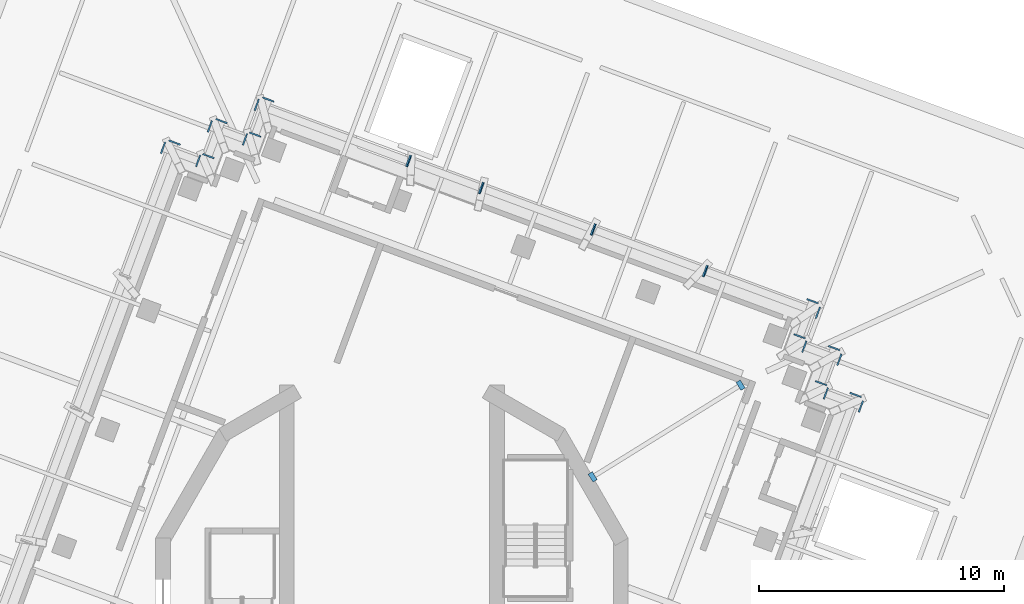
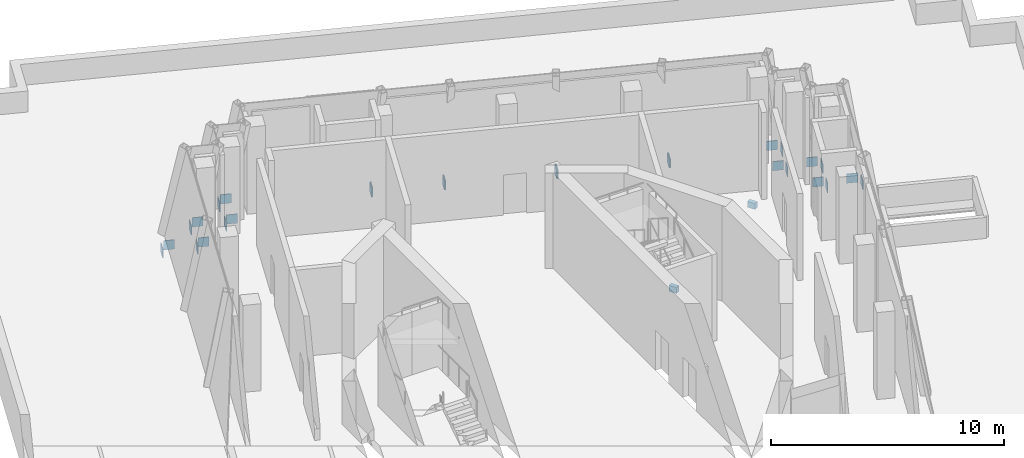
# One storey, part 9 of 12: 30 discrete accessories, 15 elements without a shape of their own.
"""IFC4 building model written with IfcOpenShell, lengths in metres."""

from ifc_helpers import new_model, si_unit, direction, frame, origin, place, context, subcontext, project, spatial, polyline, outline, extrude, material, layer, layer_set, type_object, element, aggregate, save


model = new_model("IFC4")

# Units and contexts
model_context = context("Model", 3, precision=1e-05, world=origin(), true_north=direction((0.0, 1.0)))
body_context = subcontext(model_context, "Body", "Model", "MODEL_VIEW")
ifc_project = project(units=[si_unit("LENGTHUNIT", "METRE"), si_unit("AREAUNIT", "SQUARE_METRE"), si_unit("VOLUMEUNIT", "CUBIC_METRE"), si_unit("PLANEANGLEUNIT", "RADIAN"), si_unit("MASSUNIT", "GRAM", prefix="KILO")], contexts=[model_context])

# Site, building, storey
site_placement = place(None, origin())
site = spatial("IfcSite", under=ifc_project, at=site_placement, CompositionType="ELEMENT")
building_placement = place(site_placement, origin())
building = spatial("IfcBuilding", under=site, at=building_placement, Name="Cantera Rosa Tower", CompositionType="ELEMENT")
storey_placement = place(building_placement, frame((0.0, 0.0, 345.699951171875)))
storey = spatial("IfcBuildingStorey", under=building, at=storey_placement, Name="L78", CompositionType="ELEMENT", Elevation=345.699951171875)

# Curtain wall, discrete accessories
ifc_material_1 = material(Name="Aluminium frame with clear glass", Category="aluminium")
curtain_wall_type = type_object("IfcCurtainWallType", Name="CW4 CROWN GLAZING", PredefinedType="NOTDEFINED", material=ifc_material_1)
curtain_wall_1_placement = place(storey_placement, origin())
curtain_wall_1 = element("IfcCurtainWall", 1, at=curtain_wall_1_placement, inside=storey, type_object=curtain_wall_type, Name="CW4 L78-01", PredefinedType="NOTDEFINED")
ifc_material_2 = material(Name="Steel S355J2 (EN 10025-2)", Category="steel")
ifc_layer_1 = layer(ifc_material_2, 0.030029296875)
ifc_layer_set_1 = layer_set([ifc_layer_1], Name="NODE PLATE 30")
discrete_accessory_type_1 = type_object("IfcDiscreteAccessoryType", Name="NODE PLATE 30", PredefinedType="ANCHORPLATE", material=ifc_layer_set_1)
discrete_accessory_1_placement = place(storey_placement, frame((17.52587890625, 12.022705078125, -0.43505859375), z_axis=(0.937681233018, -0.347496626235, 0.0), x_axis=(-0.347496626235, -0.937681233018, 0.0)))
discrete_accessory_1 = element("IfcDiscreteAccessory", 2, at=discrete_accessory_1_placement, type_object=discrete_accessory_type_1, Name="END PLATE TE0", PredefinedType="ANCHORPLATE", context=body_context, shape_type="SweptSolid", body=[
    extrude(outline(polyline([(0.0, 0.0), (0.4798551533622547, 0.0), (0.4798551533622547, 0.47998046875), (0.0, 0.47998046875), (0.0, 0.0)])), origin(), (0.0, 0.0, -1.0), 0.0400390625),
])
discrete_accessory_2_placement = place(storey_placement, frame((12.7021484375, 13.29833984375, -0.43505859375), z_axis=(-0.937742626232, 0.347330918501, 0.0), x_axis=(0.347330918501, 0.937742626232, 0.0)))
discrete_accessory_2 = element("IfcDiscreteAccessory", 3, at=discrete_accessory_2_placement, type_object=discrete_accessory_type_1, Name="END PLATE TE1", PredefinedType="ANCHORPLATE", context=body_context, shape_type="SweptSolid", body=[
    extrude(outline(polyline([(0.0, 0.0), (0.4800840869406107, 0.0), (0.4800840869406107, 0.47998046875), (0.0, 0.47998046875), (0.0, 0.0)])), origin(), (0.0, 0.0, -1.0), 0.0400390625),
])
aggregate(curtain_wall_1, [discrete_accessory_1, discrete_accessory_2])

curtain_wall_2_placement = place(storey_placement, origin())
curtain_wall_2 = element("IfcCurtainWall", 4, at=curtain_wall_2_placement, inside=storey, type_object=curtain_wall_type, Name="CW4 L78-02", PredefinedType="NOTDEFINED")
discrete_accessory_3_placement = place(storey_placement, frame((12.94384765625, 13.720703125, -0.43505859375), z_axis=(0.937681233018, -0.347496626235, 0.0), x_axis=(-0.347496626235, -0.937681233018, 0.0)))
discrete_accessory_3 = element("IfcDiscreteAccessory", 5, at=discrete_accessory_3_placement, type_object=discrete_accessory_type_1, Name="END PLATE TE0", PredefinedType="ANCHORPLATE", context=body_context, shape_type="SweptSolid", body=[
    extrude(outline(polyline([(0.0, 0.0), (0.4798551533622547, 0.0), (0.4798551533622547, 0.47998046875), (0.0, 0.47998046875), (0.0, 0.0)])), origin(), (0.0, 0.0, -1.0), 0.0400390625),
])
discrete_accessory_4_placement = place(storey_placement, frame((8.1201171875, 14.996337890625, -0.43505859375), z_axis=(-0.937742626232, 0.347330918501, 0.0), x_axis=(0.347330918501, 0.937742626232, 0.0)))
discrete_accessory_4 = element("IfcDiscreteAccessory", 6, at=discrete_accessory_4_placement, type_object=discrete_accessory_type_1, Name="END PLATE TE1", PredefinedType="ANCHORPLATE", context=body_context, shape_type="SweptSolid", body=[
    extrude(outline(polyline([(0.0, 0.0), (0.4800840869406107, 0.0), (0.4800840869406107, 0.47998046875), (0.0, 0.47998046875), (0.0, 0.0)])), origin(), (0.0, 0.0, -1.0), 0.0400390625),
])
aggregate(curtain_wall_2, [discrete_accessory_3, discrete_accessory_4])

curtain_wall_3_placement = place(storey_placement, origin())
curtain_wall_3 = element("IfcCurtainWall", 7, at=curtain_wall_3_placement, inside=storey, type_object=curtain_wall_type, Name="CW4 L78-03", PredefinedType="NOTDEFINED")
discrete_accessory_5_placement = place(storey_placement, frame((8.362060546875, 15.418701171875, -0.43505859375), z_axis=(0.937576914778, -0.347777987911, 0.0), x_axis=(-0.347777987911, -0.937576914778, 0.0)))
discrete_accessory_5 = element("IfcDiscreteAccessory", 8, at=discrete_accessory_5_placement, type_object=discrete_accessory_type_1, Name="END PLATE TE0", PredefinedType="ANCHORPLATE", context=body_context, shape_type="SweptSolid", body=[
    extrude(outline(polyline([(0.0, 0.0), (0.4801689391068604, 0.0), (0.4801689391068604, 0.47998046875), (0.0, 0.47998046875), (0.0, 0.0)])), origin(), (0.0, 0.0, -1.0), 0.0400390625),
])
discrete_accessory_6_placement = place(storey_placement, frame((3.538330078125, 16.6943359375, -0.43505859375), z_axis=(-0.937742626232, 0.347330918501, 0.0), x_axis=(0.347330918501, 0.937742626232, 0.0)))
discrete_accessory_6 = element("IfcDiscreteAccessory", 9, at=discrete_accessory_6_placement, type_object=discrete_accessory_type_1, Name="END PLATE TE1", PredefinedType="ANCHORPLATE", context=body_context, shape_type="SweptSolid", body=[
    extrude(outline(polyline([(0.0, 0.0), (0.4800840869406107, 0.0), (0.4800840869406107, 0.47998046875), (0.0, 0.47998046875), (0.0, 0.0)])), origin(), (0.0, 0.0, -1.0), 0.0400390625),
])
aggregate(curtain_wall_3, [discrete_accessory_5, discrete_accessory_6])

curtain_wall_4_placement = place(storey_placement, origin())
curtain_wall_4 = element("IfcCurtainWall", 10, at=curtain_wall_4_placement, inside=storey, type_object=curtain_wall_type, Name="CW4 L78-04", PredefinedType="NOTDEFINED")
discrete_accessory_7_placement = place(storey_placement, frame((3.780029296875, 17.11669921875, -0.43505859375), z_axis=(0.937742626232, -0.347330918501, 0.0), x_axis=(-0.347330918501, -0.937742626232, 0.0)))
discrete_accessory_7 = element("IfcDiscreteAccessory", 11, at=discrete_accessory_7_placement, type_object=discrete_accessory_type_1, Name="END PLATE TE0", PredefinedType="ANCHORPLATE", context=body_context, shape_type="SweptSolid", body=[
    extrude(outline(polyline([(0.0, 0.0), (0.4800840869406107, 0.0), (0.4800840869406107, 0.47998046875), (0.0, 0.47998046875), (0.0, 0.0)])), origin(), (0.0, 0.0, -1.0), 0.0400390625),
])
discrete_accessory_8_placement = place(storey_placement, frame((0.567138671875, 17.79541015625, -0.43505859375), z_axis=(-0.937681233018, 0.347496626235, 0.0), x_axis=(0.347496626235, 0.937681233018, 0.0)))
discrete_accessory_8 = element("IfcDiscreteAccessory", 12, at=discrete_accessory_8_placement, type_object=discrete_accessory_type_1, Name="END PLATE TE1", PredefinedType="ANCHORPLATE", context=body_context, shape_type="SweptSolid", body=[
    extrude(outline(polyline([(0.0, 0.0), (0.4798551533622547, 0.0), (0.4798551533622547, 0.47998046875), (0.0, 0.47998046875), (0.0, 0.0)])), origin(), (0.0, 0.0, -1.0), 0.0400390625),
])
aggregate(curtain_wall_4, [discrete_accessory_7, discrete_accessory_8])

curtain_wall_5_placement = place(storey_placement, origin())
curtain_wall_5 = element("IfcCurtainWall", 13, at=curtain_wall_5_placement, inside=storey, type_object=curtain_wall_type, Name="CW4 L78-05", PredefinedType="NOTDEFINED")
discrete_accessory_9_placement = place(storey_placement, frame((0.808837890625, 18.217529296875, -0.43505859375), z_axis=(0.937681233018, -0.347496626235, 0.0), x_axis=(-0.347496626235, -0.937681233018, 0.0)))
discrete_accessory_9 = element("IfcDiscreteAccessory", 14, at=discrete_accessory_9_placement, type_object=discrete_accessory_type_1, Name="END PLATE TE0", PredefinedType="ANCHORPLATE", context=body_context, shape_type="SweptSolid", body=[
    extrude(outline(polyline([(0.0, 0.0), (0.4798551533622547, 0.0), (0.4798551533622547, 0.47998046875), (0.0, 0.47998046875), (0.0, 0.0)])), origin(), (0.0, 0.0, -1.0), 0.0400390625),
])
discrete_accessory_10_placement = place(storey_placement, frame((-5.625732421875, 20.09033203125, -0.43505859375), z_axis=(-0.937681233018, 0.347496626235, 0.0), x_axis=(0.347496626235, 0.937681233018, 0.0)))
discrete_accessory_10 = element("IfcDiscreteAccessory", 15, at=discrete_accessory_10_placement, type_object=discrete_accessory_type_1, Name="END PLATE TE1", PredefinedType="ANCHORPLATE", context=body_context, shape_type="SweptSolid", body=[
    extrude(outline(polyline([(0.0, 0.0), (0.4798551533622547, 0.0), (0.4798551533622547, 0.47998046875), (0.0, 0.47998046875), (0.0, 0.0)])), origin(), (0.0, 0.0, -1.0), 0.0400390625),
])
aggregate(curtain_wall_5, [discrete_accessory_9, discrete_accessory_10])

curtain_wall_6_placement = place(storey_placement, origin())
curtain_wall_6 = element("IfcCurtainWall", 16, at=curtain_wall_6_placement, inside=storey, type_object=curtain_wall_type, Name="CW4 L78-06", PredefinedType="NOTDEFINED")
discrete_accessory_11_placement = place(storey_placement, frame((-5.27197265625, 20.62841796875, -0.43505859375), z_axis=(0.347496626235, 0.937681233018, 0.0), x_axis=(0.937681233018, -0.347496626235, 0.0)))
discrete_accessory_11 = element("IfcDiscreteAccessory", 17, at=discrete_accessory_11_placement, type_object=discrete_accessory_type_1, Name="END PLATE TE0", PredefinedType="ANCHORPLATE", context=body_context, shape_type="SweptSolid", body=[
    extrude(outline(polyline([(0.0, 0.0), (0.4798551533622547, 0.0), (0.4798551533622547, 0.47998046875), (0.0, 0.47998046875), (0.0, 0.0)])), origin(), (0.0, 0.0, -1.0), 0.0400390625),
])
discrete_accessory_12_placement = place(storey_placement, frame((-5.36767578125, 18.989501953125, -0.43505859375), z_axis=(-0.347496626235, -0.937681233018, 0.0), x_axis=(-0.937681233018, 0.347496626235, 0.0)))
discrete_accessory_12 = element("IfcDiscreteAccessory", 18, at=discrete_accessory_12_placement, type_object=discrete_accessory_type_1, Name="END PLATE TE1", PredefinedType="ANCHORPLATE", context=body_context, shape_type="SweptSolid", body=[
    extrude(outline(polyline([(0.0, 0.0), (0.4798551533622547, 0.0), (0.4798551533622547, 0.47998046875), (0.0, 0.47998046875), (0.0, 0.0)])), origin(), (0.0, 0.0, -1.0), 0.0400390625),
])
aggregate(curtain_wall_6, [discrete_accessory_11, discrete_accessory_12])

curtain_wall_7_placement = place(storey_placement, origin())
curtain_wall_7 = element("IfcCurtainWall", 19, at=curtain_wall_7_placement, inside=storey, type_object=curtain_wall_type, Name="CW4 L78-07", PredefinedType="NOTDEFINED")
discrete_accessory_13_placement = place(storey_placement, frame((-5.902099609375, 19.11572265625, -0.43505859375), z_axis=(0.93751537431, -0.347943850259, 0.0), x_axis=(-0.347943850259, -0.93751537431, 0.0)))
discrete_accessory_13 = element("IfcDiscreteAccessory", 20, at=discrete_accessory_13_placement, type_object=discrete_accessory_type_1, Name="END PLATE TE0", PredefinedType="ANCHORPLATE", context=body_context, shape_type="SweptSolid", body=[
    extrude(outline(polyline([(0.0, 0.0), (0.47994004600337425, 0.0), (0.47994004600337425, 0.47998046875), (0.0, 0.47998046875), (0.0, 0.0)])), origin(), (0.0, 0.0, -1.0), 0.0400390625),
])
discrete_accessory_14_placement = place(storey_placement, frame((-7.541015625, 19.211181640625, -0.43505859375), z_axis=(-0.937742626232, 0.347330918501, 0.0), x_axis=(0.347330918501, 0.937742626232, 0.0)))
discrete_accessory_14 = element("IfcDiscreteAccessory", 21, at=discrete_accessory_14_placement, type_object=discrete_accessory_type_1, Name="END PLATE TE1", PredefinedType="ANCHORPLATE", context=body_context, shape_type="SweptSolid", body=[
    extrude(outline(polyline([(0.0, 0.0), (0.4800840869406107, 0.0), (0.4800840869406107, 0.47998046875), (0.0, 0.47998046875), (0.0, 0.0)])), origin(), (0.0, 0.0, -1.0), 0.0400390625),
])
aggregate(curtain_wall_7, [discrete_accessory_13, discrete_accessory_14])

curtain_wall_8_placement = place(storey_placement, origin())
curtain_wall_8 = element("IfcCurtainWall", 22, at=curtain_wall_8_placement, inside=storey, type_object=curtain_wall_type, Name="CW4 L78-08", PredefinedType="NOTDEFINED")
discrete_accessory_15_placement = place(storey_placement, frame((-7.187255859375, 19.748046875, -0.43505859375), z_axis=(0.347496626235, 0.937681233018, 0.0), x_axis=(0.937681233018, -0.347496626235, 0.0)))
discrete_accessory_15 = element("IfcDiscreteAccessory", 23, at=discrete_accessory_15_placement, type_object=discrete_accessory_type_1, Name="END PLATE TE0", PredefinedType="ANCHORPLATE", context=body_context, shape_type="SweptSolid", body=[
    extrude(outline(polyline([(0.0, 0.0), (0.4798551533622547, 0.0), (0.4798551533622547, 0.47998046875), (0.0, 0.47998046875), (0.0, 0.0)])), origin(), (0.0, 0.0, -1.0), 0.0400390625),
])
discrete_accessory_16_placement = place(storey_placement, frame((-7.28271484375, 18.109130859375, -0.43505859375), z_axis=(-0.347330918501, -0.937742626232, 0.0), x_axis=(-0.937742626232, 0.347330918501, 0.0)))
discrete_accessory_16 = element("IfcDiscreteAccessory", 24, at=discrete_accessory_16_placement, type_object=discrete_accessory_type_1, Name="END PLATE TE1", PredefinedType="ANCHORPLATE", context=body_context, shape_type="SweptSolid", body=[
    extrude(outline(polyline([(0.0, 0.0), (0.4800840869406107, 0.0), (0.4800840869406107, 0.47998046875), (0.0, 0.47998046875), (0.0, 0.0)])), origin(), (0.0, 0.0, -1.0), 0.0400390625),
])
aggregate(curtain_wall_8, [discrete_accessory_15, discrete_accessory_16])

curtain_wall_9_placement = place(storey_placement, origin())
curtain_wall_9 = element("IfcCurtainWall", 25, at=curtain_wall_9_placement, inside=storey, type_object=curtain_wall_type, Name="CW4 L78-09", PredefinedType="NOTDEFINED")
discrete_accessory_17_placement = place(storey_placement, frame((-7.817626953125, 18.23681640625, -0.43505859375), z_axis=(0.937742626232, -0.347330918501, 0.0), x_axis=(-0.347330918501, -0.937742626232, 0.0)))
discrete_accessory_17 = element("IfcDiscreteAccessory", 26, at=discrete_accessory_17_placement, type_object=discrete_accessory_type_1, Name="END PLATE TE0", PredefinedType="ANCHORPLATE", context=body_context, shape_type="SweptSolid", body=[
    extrude(outline(polyline([(0.0, 0.0), (0.4800840869406107, 0.0), (0.4800840869406107, 0.47998046875), (0.0, 0.47998046875), (0.0, 0.0)])), origin(), (0.0, 0.0, -1.0), 0.0400390625),
])
discrete_accessory_18_placement = place(storey_placement, frame((-9.45654296875, 18.33203125, -0.43505859375), z_axis=(-0.937742626232, 0.347330918501, 0.0), x_axis=(0.347330918501, 0.937742626232, 0.0)))
discrete_accessory_18 = element("IfcDiscreteAccessory", 27, at=discrete_accessory_18_placement, type_object=discrete_accessory_type_1, Name="END PLATE TE1", PredefinedType="ANCHORPLATE", context=body_context, shape_type="SweptSolid", body=[
    extrude(outline(polyline([(0.0, 0.0), (0.4800840869406107, 0.0), (0.4800840869406107, 0.47998046875), (0.0, 0.47998046875), (0.0, 0.0)])), origin(), (0.0, 0.0, -1.0), 0.0400390625),
])
aggregate(curtain_wall_9, [discrete_accessory_17, discrete_accessory_18])

# Curtain wall, discrete accessory
curtain_wall_10_placement = place(storey_placement, origin())
curtain_wall_10 = element("IfcCurtainWall", 28, at=curtain_wall_10_placement, inside=storey, type_object=curtain_wall_type, Name="CW4 L78-10", PredefinedType="NOTDEFINED")
discrete_accessory_19_placement = place(storey_placement, frame((-9.1025390625, 18.867919921875, -0.43505859375), z_axis=(0.347330918501, 0.937742626232, 0.0), x_axis=(0.937742626232, -0.347330918501, 0.0)))
discrete_accessory_19 = element("IfcDiscreteAccessory", 29, at=discrete_accessory_19_placement, type_object=discrete_accessory_type_1, Name="END PLATE TE0", PredefinedType="ANCHORPLATE", context=body_context, shape_type="SweptSolid", body=[
    extrude(outline(polyline([(0.0, 0.0), (0.4800840869406107, 0.0), (0.4800840869406107, 0.47998046875), (0.0, 0.47998046875), (0.0, 0.0)])), origin(), (0.0, 0.0, -1.0), 0.0400390625),
])
aggregate(curtain_wall_10, [discrete_accessory_19])

curtain_wall_11_placement = place(storey_placement, origin())
curtain_wall_11 = element("IfcCurtainWall", 30, at=curtain_wall_11_placement, inside=storey, type_object=curtain_wall_type, Name="CW4 L78-32", PredefinedType="NOTDEFINED")
discrete_accessory_20_placement = place(storey_placement, frame((18.749755859375, 8.546630859375, -0.43505859375), z_axis=(0.347496626235, 0.937681233018, 0.0), x_axis=(0.937681233018, -0.347496626235, 0.0)))
discrete_accessory_20 = element("IfcDiscreteAccessory", 31, at=discrete_accessory_20_placement, type_object=discrete_accessory_type_1, Name="END PLATE TE1", PredefinedType="ANCHORPLATE", context=body_context, shape_type="SweptSolid", body=[
    extrude(outline(polyline([(0.0, 0.0), (0.4798551533622547, 0.0), (0.4798551533622547, 0.47998046875), (0.0, 0.47998046875), (0.0, 0.0)])), origin(), (0.0, 0.0, -1.0), 0.0400390625),
])
aggregate(curtain_wall_11, [discrete_accessory_20])

# Curtain wall, discrete accessories
curtain_wall_12_placement = place(storey_placement, origin())
curtain_wall_12 = element("IfcCurtainWall", 32, at=curtain_wall_12_placement, inside=storey, type_object=curtain_wall_type, Name="CW4 L78-33", PredefinedType="NOTDEFINED")
discrete_accessory_21_placement = place(storey_placement, frame((19.285888671875, 8.19287109375, -0.43505859375), z_axis=(0.937742626232, -0.347330918501, 0.0), x_axis=(-0.347330918501, -0.937742626232, 0.0)))
discrete_accessory_21 = element("IfcDiscreteAccessory", 33, at=discrete_accessory_21_placement, type_object=discrete_accessory_type_1, Name="END PLATE TE0", PredefinedType="ANCHORPLATE", context=body_context, shape_type="SweptSolid", body=[
    extrude(outline(polyline([(0.0, 0.0), (0.4800840869406107, 0.0), (0.4800840869406107, 0.47998046875), (0.0, 0.47998046875), (0.0, 0.0)])), origin(), (0.0, 0.0, -1.0), 0.0400390625),
])
discrete_accessory_22_placement = place(storey_placement, frame((17.647216796875, 8.288330078125, -0.43505859375), z_axis=(-0.937681233018, 0.347496626235, 0.0), x_axis=(0.347496626235, 0.937681233018, 0.0)))
discrete_accessory_22 = element("IfcDiscreteAccessory", 34, at=discrete_accessory_22_placement, type_object=discrete_accessory_type_1, Name="END PLATE TE1", PredefinedType="ANCHORPLATE", context=body_context, shape_type="SweptSolid", body=[
    extrude(outline(polyline([(0.0, 0.0), (0.4798551533622547, 0.0), (0.4798551533622547, 0.47998046875), (0.0, 0.47998046875), (0.0, 0.0)])), origin(), (0.0, 0.0, -1.0), 0.0400390625),
])
aggregate(curtain_wall_12, [discrete_accessory_21, discrete_accessory_22])

curtain_wall_13_placement = place(storey_placement, origin())
curtain_wall_13 = element("IfcCurtainWall", 35, at=curtain_wall_13_placement, inside=storey, type_object=curtain_wall_type, Name="CW4 L78-34", PredefinedType="NOTDEFINED")
discrete_accessory_23_placement = place(storey_placement, frame((17.775146484375, 8.823486328125, -0.43505859375), z_axis=(-0.347496626235, -0.937681233018, 0.0), x_axis=(-0.937681233018, 0.347496626235, 0.0)))
discrete_accessory_23 = element("IfcDiscreteAccessory", 36, at=discrete_accessory_23_placement, type_object=discrete_accessory_type_1, Name="END PLATE TE0", PredefinedType="ANCHORPLATE", context=body_context, shape_type="SweptSolid", body=[
    extrude(outline(polyline([(0.0, 0.0), (0.4798551533622547, 0.0), (0.4798551533622547, 0.47998046875), (0.0, 0.47998046875), (0.0, 0.0)])), origin(), (0.0, 0.0, -1.0), 0.0400390625),
])
discrete_accessory_24_placement = place(storey_placement, frame((17.87060546875, 10.46240234375, -0.43505859375), z_axis=(0.347777987911, 0.937576914778, 0.0), x_axis=(0.937576914778, -0.347777987911, 0.0)))
discrete_accessory_24 = element("IfcDiscreteAccessory", 37, at=discrete_accessory_24_placement, type_object=discrete_accessory_type_1, Name="END PLATE TE1", PredefinedType="ANCHORPLATE", context=body_context, shape_type="SweptSolid", body=[
    extrude(outline(polyline([(0.0, 0.0), (0.4801689391068604, 0.0), (0.4801689391068604, 0.47998046875), (0.0, 0.47998046875), (0.0, 0.0)])), origin(), (0.0, 0.0, -1.0), 0.0400390625),
])
aggregate(curtain_wall_13, [discrete_accessory_23, discrete_accessory_24])

curtain_wall_14_placement = place(storey_placement, origin())
curtain_wall_14 = element("IfcCurtainWall", 38, at=curtain_wall_14_placement, inside=storey, type_object=curtain_wall_type, Name="CW4 L78-35", PredefinedType="NOTDEFINED")
discrete_accessory_25_placement = place(storey_placement, frame((18.40576171875, 10.10791015625, -0.43505859375), z_axis=(0.937742626232, -0.347330918501, 0.0), x_axis=(-0.347330918501, -0.937742626232, 0.0)))
discrete_accessory_25 = element("IfcDiscreteAccessory", 39, at=discrete_accessory_25_placement, type_object=discrete_accessory_type_1, Name="END PLATE TE0", PredefinedType="ANCHORPLATE", context=body_context, shape_type="SweptSolid", body=[
    extrude(outline(polyline([(0.0, 0.0), (0.4800840869406107, 0.0), (0.4800840869406107, 0.47998046875), (0.0, 0.47998046875), (0.0, 0.0)])), origin(), (0.0, 0.0, -1.0), 0.0400390625),
])
discrete_accessory_26_placement = place(storey_placement, frame((16.76708984375, 10.203369140625, -0.43505859375), z_axis=(-0.937681233018, 0.347496626235, 0.0), x_axis=(0.347496626235, 0.937681233018, 0.0)))
discrete_accessory_26 = element("IfcDiscreteAccessory", 40, at=discrete_accessory_26_placement, type_object=discrete_accessory_type_1, Name="END PLATE TE1", PredefinedType="ANCHORPLATE", context=body_context, shape_type="SweptSolid", body=[
    extrude(outline(polyline([(0.0, 0.0), (0.4798551533622547, 0.0), (0.4798551533622547, 0.47998046875), (0.0, 0.47998046875), (0.0, 0.0)])), origin(), (0.0, 0.0, -1.0), 0.0400390625),
])
aggregate(curtain_wall_14, [discrete_accessory_25, discrete_accessory_26])

curtain_wall_15_placement = place(storey_placement, origin())
curtain_wall_15 = element("IfcCurtainWall", 41, at=curtain_wall_15_placement, inside=storey, type_object=curtain_wall_type, Name="CW4 L78-36", PredefinedType="NOTDEFINED")
discrete_accessory_27_placement = place(storey_placement, frame((16.89599609375, 10.7392578125, -0.43505859375), z_axis=(-0.347496626235, -0.937681233018, 0.0), x_axis=(-0.937681233018, 0.347496626235, 0.0)))
discrete_accessory_27 = element("IfcDiscreteAccessory", 42, at=discrete_accessory_27_placement, type_object=discrete_accessory_type_1, Name="END PLATE TE0", PredefinedType="ANCHORPLATE", context=body_context, shape_type="SweptSolid", body=[
    extrude(outline(polyline([(0.0, 0.0), (0.4798551533622547, 0.0), (0.4798551533622547, 0.47998046875), (0.0, 0.47998046875), (0.0, 0.0)])), origin(), (0.0, 0.0, -1.0), 0.0400390625),
])
discrete_accessory_28_placement = place(storey_placement, frame((16.991455078125, 12.378173828125, -0.43505859375), z_axis=(0.347330918501, 0.937742626232, 0.0), x_axis=(0.937742626232, -0.347330918501, 0.0)))
discrete_accessory_28 = element("IfcDiscreteAccessory", 43, at=discrete_accessory_28_placement, type_object=discrete_accessory_type_1, Name="END PLATE TE1", PredefinedType="ANCHORPLATE", context=body_context, shape_type="SweptSolid", body=[
    extrude(outline(polyline([(0.0, 0.0), (0.4800840869406107, 0.0), (0.4800840869406107, 0.47998046875), (0.0, 0.47998046875), (0.0, 0.0)])), origin(), (0.0, 0.0, -1.0), 0.0400390625),
])
aggregate(curtain_wall_15, [discrete_accessory_27, discrete_accessory_28])

# Discrete accessories
ifc_material_3 = material(Name="Steel ASTM A992 (Fy 345 MPa)", Category="steel")
ifc_layer_2 = layer(ifc_material_3, 0.0400390625)
ifc_layer_set_2 = layer_set([ifc_layer_2], Name="STEEL BEARING PLATE 40")
discrete_accessory_type_2 = type_object("IfcDiscreteAccessoryType", Name="STEEL BEARING PLATE 40", PredefinedType="ANCHORPLATE", material=ifc_layer_set_2)
discrete_accessory_29_placement = place(storey_placement, frame((0.0, 0.0, -0.805908203125)))
element("IfcDiscreteAccessory", 44, at=discrete_accessory_29_placement, inside=storey, type_object=discrete_accessory_type_2, Name="BEARING PLATE PG-Z6-02 end 1 L78", PredefinedType="ANCHORPLATE", context=body_context, shape_type="SweptSolid", body=[
    extrude(outline(polyline([(14.277099609375, 8.6318359375), (14.447021484375, 8.7373046875), (14.247802734375, 9.05859375), (14.077880859375, 8.953125), (14.277099609375, 8.6318359375)])), origin(), (0.0, 0.0, 1.0), 0.305908203125),
])
discrete_accessory_30_placement = place(storey_placement, frame((0.0, 0.0, -0.805908203125)))
element("IfcDiscreteAccessory", 45, at=discrete_accessory_30_placement, inside=storey, type_object=discrete_accessory_type_2, Name="BEARING PLATE PG-Z6-02 end 2 L78", PredefinedType="ANCHORPLATE", context=body_context, shape_type="SweptSolid", body=[
    extrude(outline(polyline([(8.1982421875, 5.306640625), (8.0283203125, 5.201416015625), (8.2275390625, 4.880126953125), (8.3974609375, 4.985595703125), (8.1982421875, 5.306640625)])), origin(), (0.0, 0.0, 1.0), 0.305908203125),
])

save(model, "model.ifc")
